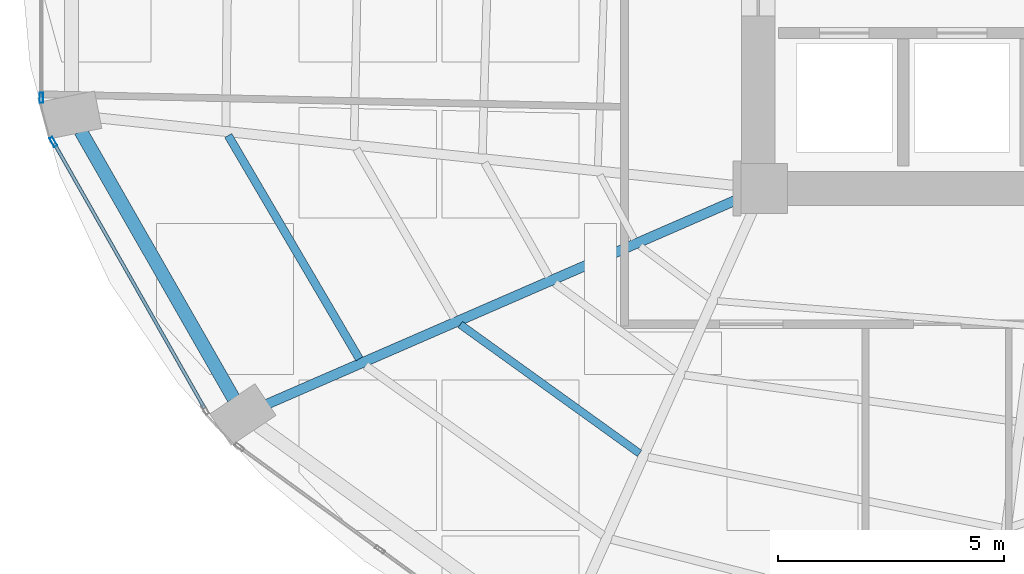
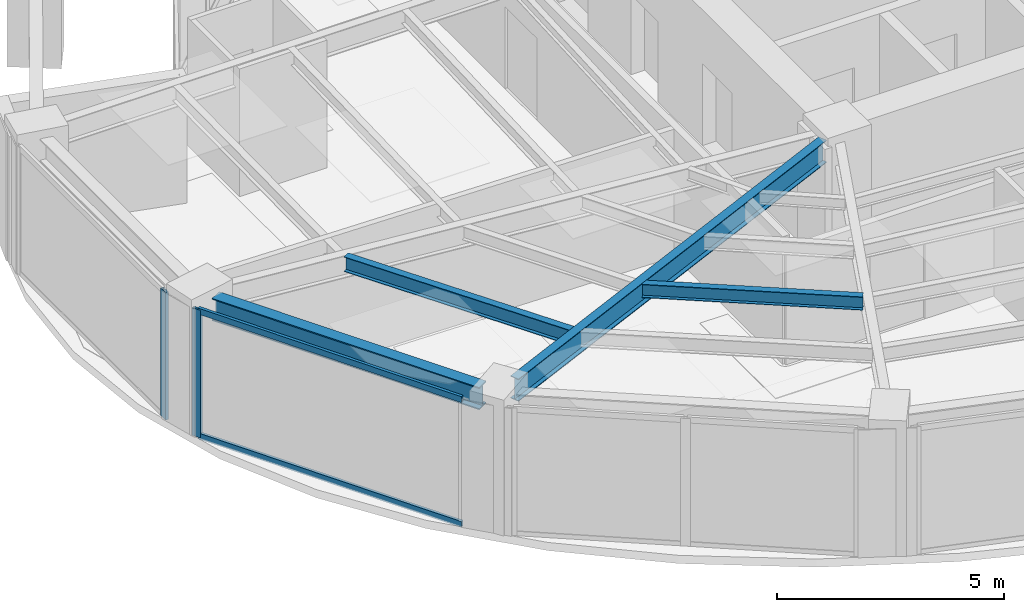
# One storey, part 3 of 24: 4 beams, 4 members, 2 elements without a shape of their own.
"""IFC4 building model written with IfcOpenShell, lengths in metres."""

from ifc_helpers import new_model, si_unit, direction, frame, origin, origin_2d, place, context, subcontext, project, spatial, hollow_rectangle, i_section, extrude, material, layer, layer_set, material_profile, profile_set, type_object, element, aggregate, save


model = new_model("IFC4")

# Units and contexts
model_context = context("Model", 3, precision=1e-05, world=origin(), true_north=direction((0.0, 1.0)))
body_context = subcontext(model_context, "Body", "Model", "MODEL_VIEW")
ifc_project = project(units=[si_unit("LENGTHUNIT", "METRE"), si_unit("AREAUNIT", "SQUARE_METRE"), si_unit("VOLUMEUNIT", "CUBIC_METRE"), si_unit("PLANEANGLEUNIT", "RADIAN"), si_unit("MASSUNIT", "GRAM", prefix="KILO")], contexts=[model_context])

# Site, building, storey
site_placement = place(None, origin())
site = spatial("IfcSite", under=ifc_project, at=site_placement, CompositionType="ELEMENT")
building_placement = place(site_placement, origin())
building = spatial("IfcBuilding", under=site, at=building_placement, Name="Lazwardi Medical Tower", CompositionType="ELEMENT")
storey_placement = place(building_placement, frame((0.0, 0.0, 114.575927734375)))
storey = spatial("IfcBuildingStorey", under=building, at=storey_placement, Name="L29", CompositionType="ELEMENT", Elevation=114.575927734375)

# Beams
ifc_material_1 = material(Name="Steel S355", Category="steel")
ifc_material_profile_1 = material_profile(ifc_material_1, i_section(OverallWidth=0.300048828125, OverallDepth=0.60009765625, WebThickness=0.015380859375, FlangeThickness=0.030029296875, at=origin_2d()), Name="HEB 600")
ifc_profile_set_1 = profile_set([ifc_material_profile_1], Name="Steel S355")
beam_type_1 = type_object("IfcBeamType", Name="BM-RB-Z2", PredefinedType="BEAM", material=ifc_profile_set_1)
beam_1_placement = place(storey_placement, frame((11.3408203125, 21.664306640625, 3.128173828125), z_axis=(0.496637551254, -0.867958030486, 0.0), x_axis=(0.867958030486, 0.496637551254, 0.0)))
element("IfcBeam", 1, at=beam_1_placement, inside=storey, type_object=beam_type_1, Name="Ring beam RB-03 B13 L29", PredefinedType="BEAM", context=body_context, shape_type="SweptSolid", body=[
    extrude(i_section(OverallWidth=0.300048828125, OverallDepth=0.60009765625, WebThickness=0.015380859375, FlangeThickness=0.030029296875, at=origin_2d()), origin(), (0.0, 0.0, 1.0), 6.801025390625),
])
ifc_material_profile_2 = material_profile(ifc_material_1, i_section(OverallWidth=0.219970703125, OverallDepth=0.60009765625, WebThickness=0.011962890625, FlangeThickness=0.01904296875, at=origin_2d()), Name="IPE 600")
ifc_profile_set_2 = profile_set([ifc_material_profile_2], Name="Steel S355")
beam_type_2 = type_object("IfcBeamType", Name="BM-RG-W1", PredefinedType="BEAM", material=ifc_profile_set_2)
beam_2_placement = place(storey_placement, frame((15.4541015625, 15.63671875, 3.128173828125), z_axis=(0.916941336121, 0.399022037127, 0.0), x_axis=(-0.399022037127, 0.916941336121, 0.0)))
element("IfcBeam", 2, at=beam_2_placement, inside=storey, type_object=beam_type_2, Name="Radial girder RG-02 R14 L29", PredefinedType="BEAM", context=body_context, shape_type="SweptSolid", body=[
    extrude(i_section(OverallWidth=0.219970703125, OverallDepth=0.60009765625, WebThickness=0.011962890625, FlangeThickness=0.01904296875, at=origin_2d()), origin(), (0.0, 0.0, 1.0), 11.40234375),
])
ifc_material_profile_3 = material_profile(ifc_material_1, i_section(OverallWidth=0.179931640625, OverallDepth=0.39990234375, WebThickness=0.008544921875, FlangeThickness=0.013427734375, at=origin_2d()), Name="IPE 400")
ifc_profile_set_3 = profile_set([ifc_material_profile_3], Name="Steel S355")
beam_type_3 = type_object("IfcBeamType", Name="BM-SJ-01", PredefinedType="JOIST", material=ifc_profile_set_3)
beam_3_placement = place(storey_placement, frame((14.597900390625, 21.56787109375, 3.22802734375), z_axis=(0.506195045201, -0.862419025888, 0.0), x_axis=(0.862419025888, 0.506195045201, 0.0)))
element("IfcBeam", 3, at=beam_3_placement, inside=storey, type_object=beam_type_3, Name="Secondary joist SJ-01 R1 B13 L29", PredefinedType="JOIST", context=body_context, shape_type="SweptSolid", body=[
    extrude(i_section(OverallWidth=0.179931640625, OverallDepth=0.39990234375, WebThickness=0.008544921875, FlangeThickness=0.013427734375, at=origin_2d()), origin(), (0.0, 0.0, 1.0), 5.71728515625),
])
ifc_material_profile_4 = material_profile(ifc_material_1, i_section(OverallWidth=0.169921875, OverallDepth=0.360107421875, WebThickness=0.008056640625, FlangeThickness=0.0126953125, at=origin_2d()), Name="IPE 360")
ifc_profile_set_4 = profile_set([ifc_material_profile_4], Name="Steel S355")
beam_type_4 = type_object("IfcBeamType", Name="BM-SJ-02", PredefinedType="JOIST", material=ifc_profile_set_4)
beam_4_placement = place(storey_placement, frame((19.721435546875, 17.395263671875, 3.248046875), z_axis=(0.811888517177, -0.583812500446, 0.0), x_axis=(0.583812500446, 0.811888517177, 0.0)))
element("IfcBeam", 4, at=beam_4_placement, inside=storey, type_object=beam_type_4, Name="Secondary joist SJ-02 R2 B14 L29", PredefinedType="JOIST", context=body_context, shape_type="SweptSolid", body=[
    extrude(i_section(OverallWidth=0.169921875, OverallDepth=0.360107421875, WebThickness=0.008056640625, FlangeThickness=0.0126953125, at=origin_2d()), origin(), (0.0, 0.0, 1.0), 4.874755859375),
])

# Curtain wall, member
ifc_material_2 = material(Name="Anodised bronze aluminium and solar control glazing", Category="aluminium")
ifc_layer = layer(ifc_material_2, 0.195068359375)
ifc_layer_set = layer_set([ifc_layer], Name="Anodised bronze aluminium and solar control glazing")
curtain_wall_type = type_object("IfcCurtainWallType", Name="CW-SYS-03", PredefinedType="NOTDEFINED", material=ifc_layer_set)
curtain_wall_1_placement = place(storey_placement, origin())
curtain_wall_1 = element("IfcCurtainWall", 5, at=curtain_wall_1_placement, inside=storey, type_object=curtain_wall_type, Name="L29 Unitised bronze curtain wall CW-03", PredefinedType="NOTDEFINED")
ifc_material_3 = material(Name="Anodised bronze aluminium", Category="aluminium")
ifc_material_profile_5 = material_profile(ifc_material_3, hollow_rectangle(XDim=0.074951171875, YDim=0.219970703125, WallThickness=0.00390625, at=origin_2d()), Name="ALU-MULLION 220x75x4")
ifc_profile_set_5 = profile_set([ifc_material_profile_5], Name="Anodised bronze aluminium")
member_type_1 = type_object("IfcMemberType", Name="CW-MUL-01", PredefinedType="MULLION", material=ifc_profile_set_5)
member_1_placement = place(storey_placement, frame((10.471923828125, 22.402587890625, 0.0), z_axis=(0.0, 0.0, 1.0), x_axis=(1.0, 0.0, 0.0)))
member_1 = element("IfcMember", 6, at=member_1_placement, type_object=member_type_1, Name="CW-03 mullion 2", PredefinedType="MULLION", context=body_context, shape_type="SweptSolid", body=[
    extrude(hollow_rectangle(XDim=0.074951171875, YDim=0.219970703125, WallThickness=0.00390625, at=origin_2d()), origin(), (0.0, 0.0, 1.0), 3.427978515625),
])
aggregate(curtain_wall_1, [member_1])

# Curtain wall, members
curtain_wall_2_placement = place(storey_placement, origin())
curtain_wall_2 = element("IfcCurtainWall", 7, at=curtain_wall_2_placement, inside=storey, type_object=curtain_wall_type, Name="L29 Unitised bronze curtain wall CW-03", PredefinedType="NOTDEFINED")
member_2_placement = place(storey_placement, frame((10.7373046875, 21.42626953125, 0.0), z_axis=(0.0, 0.0, 1.0), x_axis=(0.869687265712, 0.493603140041, 0.0)))
member_2 = element("IfcMember", 8, at=member_2_placement, type_object=member_type_1, Name="CW-03 mullion 1", PredefinedType="MULLION", context=body_context, shape_type="SweptSolid", body=[
    extrude(hollow_rectangle(XDim=0.074951171875, YDim=0.219970703125, WallThickness=0.00390625, at=origin_2d()), origin(), (0.0, 0.0, 1.0), 3.427978515625),
])
ifc_material_profile_6 = material_profile(ifc_material_3, hollow_rectangle(XDim=0.074951171875, YDim=0.159912109375, WallThickness=0.00390625, at=origin_2d()), Name="ALU-TRANSOM 160x75x4")
ifc_profile_set_6 = profile_set([ifc_material_profile_6], Name="Anodised bronze aluminium")
member_type_2 = type_object("IfcMemberType", Name="CW-TRN-01", PredefinedType="USERDEFINED", material=ifc_profile_set_6)
member_3_placement = place(storey_placement, frame((10.755859375, 21.3935546875, 0.03759765625), z_axis=(0.493614427365, -0.869680859337, 0.0), x_axis=(0.869680859337, 0.493614427365, 0.0)))
member_3 = element("IfcMember", 9, at=member_3_placement, type_object=member_type_2, Name="CW-03 transom 1.1", ObjectType="TRANSOM", PredefinedType="USERDEFINED", context=body_context, shape_type="SweptSolid", body=[
    extrude(hollow_rectangle(XDim=0.074951171875, YDim=0.159912109375, WallThickness=0.00390625, at=origin_2d()), origin(), (0.0, 0.0, 1.0), 6.72314453125),
])
member_4_placement = place(storey_placement, frame((10.755859375, 21.3935546875, 3.390625), z_axis=(0.493614427365, -0.869680859337, 0.0), x_axis=(0.869680859337, 0.493614427365, 0.0)))
member_4 = element("IfcMember", 10, at=member_4_placement, type_object=member_type_2, Name="CW-03 transom 1.2", ObjectType="TRANSOM", PredefinedType="USERDEFINED", context=body_context, shape_type="SweptSolid", body=[
    extrude(hollow_rectangle(XDim=0.074951171875, YDim=0.159912109375, WallThickness=0.00390625, at=origin_2d()), origin(), (0.0, 0.0, 1.0), 6.72314453125),
])
aggregate(curtain_wall_2, [member_2, member_3, member_4])

save(model, "model.ifc")
